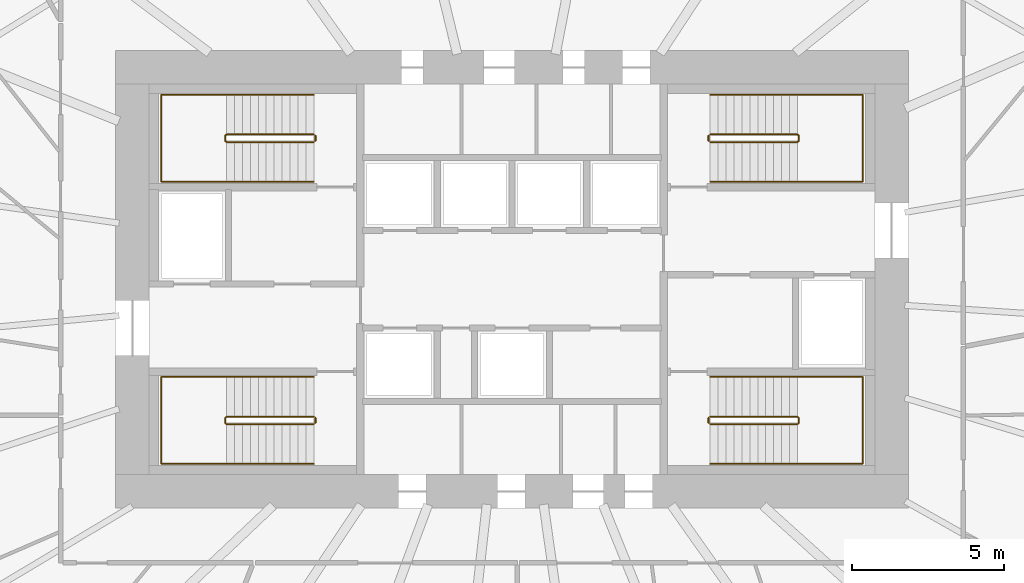
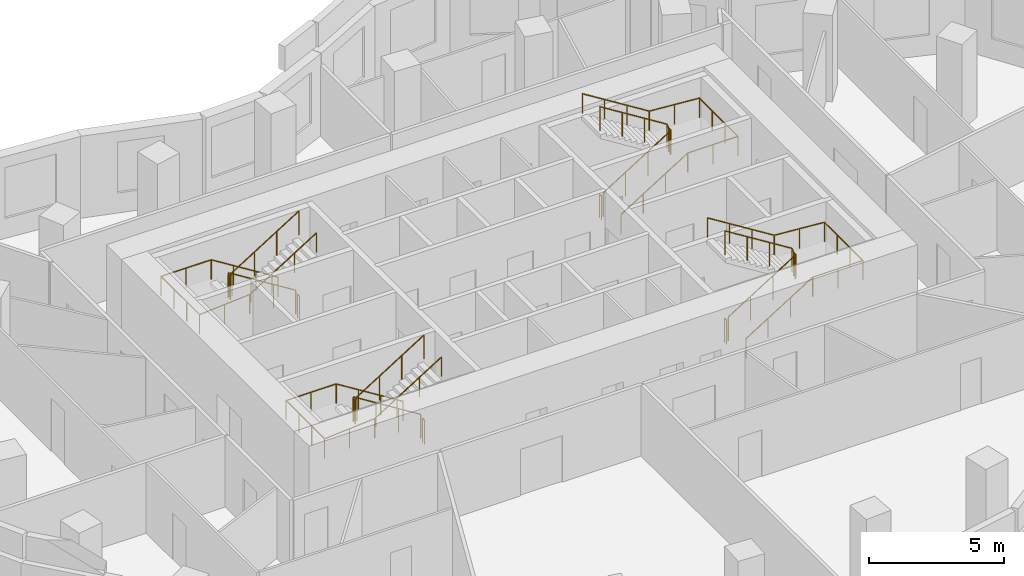
# One storey, part 10 of 10: 12 railings.
"""IFC4 building model written with IfcOpenShell, lengths in metres."""

import ifcopenshell
import ifcopenshell.guid

model = None  # the IFC model being written
_history = None  # IfcOwnerHistory: only IFC2X3 demands one
_inside = {}  # id of a spatial element -> (the spatial element, [elements in it])
_under = {}  # id of a project, library or spatial element -> (it, [spatial elements below it])
_declared = {}  # id of a project -> (the project, [libraries it declares])
_typed = {}  # id of a type object -> (the type object, [elements of that type])
_made_of = {}  # id of a material, layer set ... -> (it, [elements and type objects made of it])


def new_model(schema):
    """Start an empty IFC model of exactly this schema.

    Asked for "IFC4X3", IfcOpenShell would pick the latest addendum, in which some entities
    have other attributes; the version numbers below select the first issue.
    IFC2X3 requires an IfcOwnerHistory on every rooted entity: one is made here for all.
    """
    global model, _history
    if schema == "IFC4X3":
        model = ifcopenshell.file(schema_version=(4, 3, 0, 0))
    else:
        model = ifcopenshell.file(schema=schema)
    _inside.clear()
    _under.clear()
    _declared.clear()
    _typed.clear()
    _made_of.clear()
    _history = None
    if model.schema == "IFC2X3":
        org = make("IfcOrganization", Name="unknown")
        user = make(
            "IfcPersonAndOrganization",
            ThePerson=make("IfcPerson", FamilyName="unknown"),
            TheOrganization=org,
        )
        app = make(
            "IfcApplication",
            ApplicationDeveloper=org,
            Version="unknown",
            ApplicationFullName="unknown",
            ApplicationIdentifier="unknown",
        )
        _history = make(
            "IfcOwnerHistory",
            OwningUser=user,
            OwningApplication=app,
            ChangeAction="ADDED",
            CreationDate=0,
        )
    return model


def make(cls, **values):
    """One entity of the class cls with the attributes given. An attribute that is None is left unset."""
    return model.create_entity(
        cls, **{name: value for name, value in values.items() if value is not None}
    )


def rooted(cls, **values):
    """An entity with a GlobalId (a new one), such as an element, a storey or a relation."""
    return make(cls, GlobalId=ifcopenshell.guid.new(), OwnerHistory=_history, **values)


def si_unit(unit_type, name, prefix=None):
    """IfcSIUnit, for example si_unit("LENGTHUNIT", "METRE", prefix="MILLI")."""
    return make("IfcSIUnit", UnitType=unit_type, Prefix=prefix, Name=name)


def assignment(units):
    """IfcUnitAssignment: the units of a project."""
    return None if units is None else make("IfcUnitAssignment", Units=units)


def point(xyz):
    """IfcCartesianPoint."""
    return None if xyz is None else make("IfcCartesianPoint", Coordinates=xyz)


def direction(xyz):
    """IfcDirection."""
    return None if xyz is None else make("IfcDirection", DirectionRatios=xyz)


def frame(location, z_axis=None, x_axis=None):
    """IfcAxis2Placement3D, a coordinate frame: its origin and axes. An axis left out is left unset."""
    return make(
        "IfcAxis2Placement3D",
        Location=point(location),
        Axis=direction(z_axis),
        RefDirection=direction(x_axis),
    )


def frame_2d(location, x_axis=None):
    """IfcAxis2Placement2D, a coordinate frame in the plane: its origin and x axis."""
    return make(
        "IfcAxis2Placement2D", Location=point(location), RefDirection=direction(x_axis)
    )


def origin():
    """The frame at (0, 0, 0) with its axes left unset."""
    return frame((0.0, 0.0, 0.0))


def origin_2d():
    """The frame at (0, 0) in the plane with its x axis left unset."""
    return frame_2d((0.0, 0.0))


def place(relative_to, where):
    """IfcLocalPlacement: puts the frame where relative to a parent placement (None: the world)."""
    return make(
        "IfcLocalPlacement", PlacementRelTo=relative_to, RelativePlacement=where
    )


def context(
    kind, dimensions, precision=None, world=None, true_north=None, identifier=None
):
    """IfcGeometricRepresentationContext, for example the 3D "Model" context."""
    return make(
        "IfcGeometricRepresentationContext",
        ContextIdentifier=identifier,
        ContextType=kind,
        CoordinateSpaceDimension=dimensions,
        Precision=precision,
        WorldCoordinateSystem=world,
        TrueNorth=true_north,
    )


def subcontext(parent, identifier, kind, view, scale=None):
    """IfcGeometricRepresentationSubContext, for example "Body" below "Model"."""
    return make(
        "IfcGeometricRepresentationSubContext",
        ContextIdentifier=identifier,
        ContextType=kind,
        ParentContext=parent,
        TargetScale=scale,
        TargetView=view,
    )


def project(units=None, contexts=None):
    """IfcProject with its units and contexts."""
    return rooted(
        "IfcProject",
        Name="project",
        RepresentationContexts=contexts,
        UnitsInContext=assignment(units),
    )


def spatial(cls, under=None, at=None, **own):
    """A site, building, storey or space (cls), placed at a placement, below another one or the project."""
    s = rooted(cls, ObjectPlacement=at, **own)
    if under is not None:
        _under.setdefault(under.id(), (under, []))[1].append(s)
    return s


def profile(cls, at=None, kind="AREA", **sizes):
    """A parametric profile (cls). Its sizes go by their IFC names, for example OverallWidth=200.0."""
    return make(cls, ProfileType=kind, Position=at, **sizes)


def circle(**sizes):
    """IfcCircleProfileDef."""
    return profile("IfcCircleProfileDef", **sizes)


def extrude(swept, where, along, depth):
    """IfcExtrudedAreaSolid: the profile swept, set in the frame where, extruded along a direction by depth."""
    return make(
        "IfcExtrudedAreaSolid",
        SweptArea=swept,
        Position=where,
        ExtrudedDirection=direction(along),
        Depth=depth,
    )


def shape(context_of_items, identifier, shape_type, items):
    """IfcShapeRepresentation: the items that make up one representation, for example the "Body"."""
    return make(
        "IfcShapeRepresentation",
        ContextOfItems=context_of_items,
        RepresentationIdentifier=identifier,
        RepresentationType=shape_type,
        Items=items,
    )


def material(Name=None, Category=None):
    """IfcMaterial."""
    return make("IfcMaterial", Name=Name, Category=Category)


def made_of(thing, what):
    """Note that an element or type object is made of a material, layer set ...; save() writes the relation."""
    if what is not None:
        _made_of.setdefault(what.id(), (what, []))[1].append(thing)
    return thing


def type_object(cls, material=None, **own):
    """A type object (cls), such as IfcWallType, which elements share."""
    return made_of(rooted(cls, **own), material)


def element(
    cls,
    number,
    at=None,
    inside=None,
    cuts=None,
    type_object=None,
    material=None,
    context=None,
    identifier="Body",
    shape_type=None,
    held_by="IfcProductDefinitionShape",
    body=None,
    shapes=None,
    **own,
):
    """One element of the class cls, such as IfcWall. Its Tag is "e" and its number.

    at: its placement. inside: the storey or other place that contains it. cuts: it is an
    opening in that element (IfcRelVoidsElement). A single representation is given by context,
    identifier, shape_type and body (its items); several are given by shapes. held_by: the class
    of the entity that holds the representations. save() writes the other relations.
    """
    e = rooted(cls, Tag="e%d" % number, ObjectPlacement=at, **own)
    if body is not None:
        shapes = [shape(context, identifier, shape_type, body)]
    if shapes is not None:
        e.Representation = make(held_by, Representations=shapes)
    if inside is not None:
        _inside.setdefault(inside.id(), (inside, []))[1].append(e)
    if cuts is not None:
        rooted(
            "IfcRelVoidsElement", RelatingBuildingElement=cuts, RelatedOpeningElement=e
        )
    if type_object is not None:
        _typed.setdefault(type_object.id(), (type_object, []))[1].append(e)
    return made_of(e, material)


def aggregate(whole, parts):
    """IfcRelAggregates: a whole, such as a stair, and the parts it consists of."""
    return rooted("IfcRelAggregates", RelatingObject=whole, RelatedObjects=parts)


def save(model, path):
    """Write the relations noted so far, then the file.

    IfcRelAggregates (storeys below a building ...), IfcRelContainedInSpatialStructure (elements
    in a storey), IfcRelDefinesByType, IfcRelAssociatesMaterial and IfcRelDeclares: one each for
    every whole, place, type object, material and project.
    """
    for whole, parts in _under.values():
        aggregate(whole, parts)
    for where, things in _inside.values():
        rooted(
            "IfcRelContainedInSpatialStructure",
            RelatedElements=things,
            RelatingStructure=where,
        )
    for kind, things in _typed.values():
        rooted("IfcRelDefinesByType", RelatedObjects=things, RelatingType=kind)
    for what, things in _made_of.values():
        rooted("IfcRelAssociatesMaterial", RelatedObjects=things, RelatingMaterial=what)
    for by, libraries in _declared.values():
        rooted("IfcRelDeclares", RelatingContext=by, RelatedDefinitions=libraries)
    model.write(path)


model = new_model("IFC4")

# Units and contexts
model_context = context("Model", 3, precision=1e-05, world=origin(), true_north=direction((0.0, 1.0)))
body_context = subcontext(model_context, "Body", "Model", "MODEL_VIEW")
ifc_project = project(units=[si_unit("LENGTHUNIT", "METRE"), si_unit("AREAUNIT", "SQUARE_METRE"), si_unit("VOLUMEUNIT", "CUBIC_METRE"), si_unit("PLANEANGLEUNIT", "RADIAN"), si_unit("MASSUNIT", "GRAM", prefix="KILO")], contexts=[model_context])

# Site, building, storey
site_placement = place(None, origin())
site = spatial("IfcSite", under=ifc_project, at=site_placement, CompositionType="ELEMENT")
building_placement = place(site_placement, origin())
building = spatial("IfcBuilding", under=site, at=building_placement, Name="Rubra Terraces Tower", CompositionType="ELEMENT")
storey_placement = place(building_placement, frame((0.0, 0.0, 153.89990234375)))
storey = spatial("IfcBuildingStorey", under=building, at=storey_placement, Name="L37", CompositionType="ELEMENT", Elevation=153.89990234375)

# Railings
ifc_material = material(Name="Stainless steel", Category="steel")
railing_type_1 = type_object("IfcRailingType", Name="Core stair guard 1100", PredefinedType="GUARDRAIL", material=ifc_material)
railing_1_placement = place(storey_placement, frame((-6.5, 0.0, 0.16259765625)))
element("IfcRailing", 1, at=railing_1_placement, inside=storey, type_object=railing_type_1, Name="L37 stair S1 guard 1", PredefinedType="GUARDRAIL", context=body_context, shape_type="SweptSolid", body=[
    extrude(circle(Radius=0.02392578125, at=origin_2d()), frame((0.0, 0.0, 1.076171875), z_axis=(-0.847994237388, 0.0, 0.530005446535), x_axis=(0.0, -1.0, 0.0)), (0.0, 0.0, 1.0), 3.372802734375),
    extrude(circle(Radius=0.02392578125, at=origin_2d()), frame((-2.860107421875, 0.0, 2.86376953125), z_axis=(-0.705375805398, -0.708833529934, 0.0), x_axis=(0.708833529934, -0.705375805398, 0.0)), (0.0, 0.0, 1.0), 0.070556640625),
    extrude(circle(Radius=0.02392578125, at=origin_2d()), frame((-2.909912109375, -0.050048828125, 2.86376953125), z_axis=(0.0, -1.0, 0.0), x_axis=(1.0, 0.0, 0.0)), (0.0, 0.0, 1.0), 0.14990234375),
    extrude(circle(Radius=0.02392578125, at=origin_2d()), frame((-2.909912109375, -0.199951171875, 2.86376953125), z_axis=(0.281314826061, -0.282693820306, 0.917031173188), x_axis=(0.708833529934, 0.705375805398, 0.0)), (0.0, 0.0, 1.0), 0.177001953125),
    extrude(circle(Radius=0.02392578125, at=origin_2d()), frame((-2.860107421875, -0.25, 3.02587890625), z_axis=(0.847994237388, 0.0, 0.530005446535), x_axis=(0.0, 1.0, 0.0)), (0.0, 0.0, 1.0), 3.372802734375),
    extrude(circle(Radius=0.02099609375, at=origin_2d()), origin(), (0.0, 0.0, 1.0), 1.052001953125),
    extrude(circle(Radius=0.02099609375, at=origin_2d()), frame((-0.953369140625, 0.0, 0.595947265625)), (0.0, 0.0, 1.0), 1.052001953125),
    extrude(circle(Radius=0.02099609375, at=origin_2d()), frame((-1.90673828125, 0.0, 1.191650390625)), (0.0, 0.0, 1.0), 1.052001953125),
    extrude(circle(Radius=0.02099609375, at=origin_2d()), frame((-2.860107421875, 0.0, 1.78759765625)), (0.0, 0.0, 1.0), 1.052001953125),
    extrude(circle(Radius=0.02099609375, at=origin_2d()), frame((-2.909912109375, -0.050048828125, 1.78759765625)), (0.0, 0.0, 1.0), 1.052001953125),
    extrude(circle(Radius=0.02099609375, at=origin_2d()), frame((-2.909912109375, -0.199951171875, 1.78759765625)), (0.0, 0.0, 1.0), 1.052001953125),
    extrude(circle(Radius=0.02099609375, at=origin_2d()), frame((-2.860107421875, -0.25, 1.949951171875)), (0.0, 0.0, 1.0), 1.052001953125),
    extrude(circle(Radius=0.02099609375, at=origin_2d()), frame((-1.90673828125, -0.25, 2.5458984375)), (0.0, 0.0, 1.0), 1.052001953125),
    extrude(circle(Radius=0.02099609375, at=origin_2d()), frame((-0.953369140625, -0.25, 3.1416015625)), (0.0, 0.0, 1.0), 1.052001953125),
    extrude(circle(Radius=0.02099609375, at=origin_2d()), frame((0.0, -0.25, 3.737548828125)), (0.0, 0.0, 1.0), 1.052001953125),
])
railing_2_placement = place(storey_placement, frame((-6.449951171875, -0.050048828125, 0.0)))
element("IfcRailing", 2, at=railing_2_placement, inside=storey, type_object=railing_type_1, Name="L37 stair S1 guard 2", PredefinedType="GUARDRAIL", context=body_context, shape_type="SweptSolid", body=[
    extrude(circle(Radius=0.02392578125, at=origin_2d()), frame((0.0, 0.0, 1.076171875), z_axis=(0.0, -1.0, 0.0), x_axis=(1.0, 0.0, 0.0)), (0.0, 0.0, 1.0), 0.14990234375),
    extrude(circle(Radius=0.02099609375, at=origin_2d()), origin(), (0.0, 0.0, 1.0), 1.052001953125),
    extrude(circle(Radius=0.02099609375, at=origin_2d()), frame((0.0, -0.14990234375, 0.0)), (0.0, 0.0, 1.0), 1.052001953125),
])
railing_3_placement = place(storey_placement, frame((-6.5, 9.25, 0.16259765625)))
element("IfcRailing", 3, at=railing_3_placement, inside=storey, type_object=railing_type_1, Name="L37 stair S2 guard 1", PredefinedType="GUARDRAIL", context=body_context, shape_type="SweptSolid", body=[
    extrude(circle(Radius=0.02392578125, at=origin_2d()), frame((0.0, 0.0, 1.076171875), z_axis=(-0.847994237388, 0.0, 0.530005446535), x_axis=(0.0, -1.0, 0.0)), (0.0, 0.0, 1.0), 3.372802734375),
    extrude(circle(Radius=0.02392578125, at=origin_2d()), frame((-2.860107421875, 0.0, 2.86376953125), z_axis=(-0.705375805398, -0.708833529934, 0.0), x_axis=(0.708833529934, -0.705375805398, 0.0)), (0.0, 0.0, 1.0), 0.070556640625),
    extrude(circle(Radius=0.02392578125, at=origin_2d()), frame((-2.909912109375, -0.050048828125, 2.86376953125), z_axis=(0.0, -1.0, 0.0), x_axis=(1.0, 0.0, 0.0)), (0.0, 0.0, 1.0), 0.14990234375),
    extrude(circle(Radius=0.02392578125, at=origin_2d()), frame((-2.909912109375, -0.199951171875, 2.86376953125), z_axis=(0.281314826061, -0.282693820306, 0.917031173188), x_axis=(0.708833529934, 0.705375805398, 0.0)), (0.0, 0.0, 1.0), 0.177001953125),
    extrude(circle(Radius=0.02392578125, at=origin_2d()), frame((-2.860107421875, -0.25, 3.02587890625), z_axis=(0.847994237388, 0.0, 0.530005446535), x_axis=(0.0, 1.0, 0.0)), (0.0, 0.0, 1.0), 3.372802734375),
    extrude(circle(Radius=0.02099609375, at=origin_2d()), origin(), (0.0, 0.0, 1.0), 1.052001953125),
    extrude(circle(Radius=0.02099609375, at=origin_2d()), frame((-0.953369140625, 0.0, 0.595947265625)), (0.0, 0.0, 1.0), 1.052001953125),
    extrude(circle(Radius=0.02099609375, at=origin_2d()), frame((-1.90673828125, 0.0, 1.191650390625)), (0.0, 0.0, 1.0), 1.052001953125),
    extrude(circle(Radius=0.02099609375, at=origin_2d()), frame((-2.860107421875, 0.0, 1.78759765625)), (0.0, 0.0, 1.0), 1.052001953125),
    extrude(circle(Radius=0.02099609375, at=origin_2d()), frame((-2.909912109375, -0.050048828125, 1.78759765625)), (0.0, 0.0, 1.0), 1.052001953125),
    extrude(circle(Radius=0.02099609375, at=origin_2d()), frame((-2.909912109375, -0.199951171875, 1.78759765625)), (0.0, 0.0, 1.0), 1.052001953125),
    extrude(circle(Radius=0.02099609375, at=origin_2d()), frame((-2.860107421875, -0.25, 1.949951171875)), (0.0, 0.0, 1.0), 1.052001953125),
    extrude(circle(Radius=0.02099609375, at=origin_2d()), frame((-1.90673828125, -0.25, 2.5458984375)), (0.0, 0.0, 1.0), 1.052001953125),
    extrude(circle(Radius=0.02099609375, at=origin_2d()), frame((-0.953369140625, -0.25, 3.1416015625)), (0.0, 0.0, 1.0), 1.052001953125),
    extrude(circle(Radius=0.02099609375, at=origin_2d()), frame((0.0, -0.25, 3.737548828125)), (0.0, 0.0, 1.0), 1.052001953125),
])
railing_4_placement = place(storey_placement, frame((-6.449951171875, 9.199951171875, 0.0)))
element("IfcRailing", 4, at=railing_4_placement, inside=storey, type_object=railing_type_1, Name="L37 stair S2 guard 2", PredefinedType="GUARDRAIL", context=body_context, shape_type="SweptSolid", body=[
    extrude(circle(Radius=0.02392578125, at=origin_2d()), frame((0.0, 0.0, 1.076171875), z_axis=(0.0, -1.0, 0.0), x_axis=(1.0, 0.0, 0.0)), (0.0, 0.0, 1.0), 0.14990234375),
    extrude(circle(Radius=0.02099609375, at=origin_2d()), origin(), (0.0, 0.0, 1.0), 1.052001953125),
    extrude(circle(Radius=0.02099609375, at=origin_2d()), frame((0.0, -0.14990234375, 0.0)), (0.0, 0.0, 1.0), 1.052001953125),
])
railing_5_placement = place(storey_placement, frame((6.5, 9.0, 0.16259765625)))
element("IfcRailing", 5, at=railing_5_placement, inside=storey, type_object=railing_type_1, Name="L37 stair S3 guard 1", PredefinedType="GUARDRAIL", context=body_context, shape_type="SweptSolid", body=[
    extrude(circle(Radius=0.02392578125, at=origin_2d()), frame((0.0, 0.0, 1.076171875), z_axis=(0.847994237388, 0.0, 0.530005446535), x_axis=(0.0, 1.0, 0.0)), (0.0, 0.0, 1.0), 3.372802734375),
    extrude(circle(Radius=0.02392578125, at=origin_2d()), frame((2.860107421875, 0.0, 2.86376953125), z_axis=(0.705375805398, 0.708833529934, 0.0), x_axis=(-0.708833529934, 0.705375805398, 0.0)), (0.0, 0.0, 1.0), 0.070556640625),
    extrude(circle(Radius=0.02392578125, at=origin_2d()), frame((2.909912109375, 0.050048828125, 2.86376953125), z_axis=(0.0, 1.0, 0.0), x_axis=(-1.0, 0.0, 0.0)), (0.0, 0.0, 1.0), 0.14990234375),
    extrude(circle(Radius=0.02392578125, at=origin_2d()), frame((2.909912109375, 0.199951171875, 2.86376953125), z_axis=(-0.281314826061, 0.282693820306, 0.917031173188), x_axis=(-0.708833529934, -0.705375805398, 0.0)), (0.0, 0.0, 1.0), 0.177001953125),
    extrude(circle(Radius=0.02392578125, at=origin_2d()), frame((2.860107421875, 0.25, 3.02587890625), z_axis=(-0.847994237388, 0.0, 0.530005446535), x_axis=(0.0, -1.0, 0.0)), (0.0, 0.0, 1.0), 3.372802734375),
    extrude(circle(Radius=0.02099609375, at=origin_2d()), origin(), (0.0, 0.0, 1.0), 1.052001953125),
    extrude(circle(Radius=0.02099609375, at=origin_2d()), frame((0.953369140625, 0.0, 0.595947265625)), (0.0, 0.0, 1.0), 1.052001953125),
    extrude(circle(Radius=0.02099609375, at=origin_2d()), frame((1.90673828125, 0.0, 1.191650390625)), (0.0, 0.0, 1.0), 1.052001953125),
    extrude(circle(Radius=0.02099609375, at=origin_2d()), frame((2.860107421875, 0.0, 1.78759765625)), (0.0, 0.0, 1.0), 1.052001953125),
    extrude(circle(Radius=0.02099609375, at=origin_2d()), frame((2.909912109375, 0.050048828125, 1.78759765625)), (0.0, 0.0, 1.0), 1.052001953125),
    extrude(circle(Radius=0.02099609375, at=origin_2d()), frame((2.909912109375, 0.199951171875, 1.78759765625)), (0.0, 0.0, 1.0), 1.052001953125),
    extrude(circle(Radius=0.02099609375, at=origin_2d()), frame((2.860107421875, 0.25, 1.949951171875)), (0.0, 0.0, 1.0), 1.052001953125),
    extrude(circle(Radius=0.02099609375, at=origin_2d()), frame((1.90673828125, 0.25, 2.5458984375)), (0.0, 0.0, 1.0), 1.052001953125),
    extrude(circle(Radius=0.02099609375, at=origin_2d()), frame((0.953369140625, 0.25, 3.1416015625)), (0.0, 0.0, 1.0), 1.052001953125),
    extrude(circle(Radius=0.02099609375, at=origin_2d()), frame((0.0, 0.25, 3.737548828125)), (0.0, 0.0, 1.0), 1.052001953125),
])
railing_6_placement = place(storey_placement, frame((6.449951171875, 9.050048828125, 0.0)))
element("IfcRailing", 6, at=railing_6_placement, inside=storey, type_object=railing_type_1, Name="L37 stair S3 guard 2", PredefinedType="GUARDRAIL", context=body_context, shape_type="SweptSolid", body=[
    extrude(circle(Radius=0.02392578125, at=origin_2d()), frame((0.0, 0.0, 1.076171875), z_axis=(0.0, 1.0, 0.0), x_axis=(-1.0, 0.0, 0.0)), (0.0, 0.0, 1.0), 0.14990234375),
    extrude(circle(Radius=0.02099609375, at=origin_2d()), origin(), (0.0, 0.0, 1.0), 1.052001953125),
    extrude(circle(Radius=0.02099609375, at=origin_2d()), frame((0.0, 0.14990234375, 0.0)), (0.0, 0.0, 1.0), 1.052001953125),
])
railing_7_placement = place(storey_placement, frame((6.5, -0.25, 0.16259765625)))
element("IfcRailing", 7, at=railing_7_placement, inside=storey, type_object=railing_type_1, Name="L37 stair S4 guard 1", PredefinedType="GUARDRAIL", context=body_context, shape_type="SweptSolid", body=[
    extrude(circle(Radius=0.02392578125, at=origin_2d()), frame((0.0, 0.0, 1.076171875), z_axis=(0.847994237388, 0.0, 0.530005446535), x_axis=(0.0, 1.0, 0.0)), (0.0, 0.0, 1.0), 3.372802734375),
    extrude(circle(Radius=0.02392578125, at=origin_2d()), frame((2.860107421875, 0.0, 2.86376953125), z_axis=(0.705375805398, 0.708833529934, 0.0), x_axis=(-0.708833529934, 0.705375805398, 0.0)), (0.0, 0.0, 1.0), 0.070556640625),
    extrude(circle(Radius=0.02392578125, at=origin_2d()), frame((2.909912109375, 0.050048828125, 2.86376953125), z_axis=(0.0, 1.0, 0.0), x_axis=(-1.0, 0.0, 0.0)), (0.0, 0.0, 1.0), 0.14990234375),
    extrude(circle(Radius=0.02392578125, at=origin_2d()), frame((2.909912109375, 0.199951171875, 2.86376953125), z_axis=(-0.281314826061, 0.282693820306, 0.917031173188), x_axis=(-0.708833529934, -0.705375805398, 0.0)), (0.0, 0.0, 1.0), 0.177001953125),
    extrude(circle(Radius=0.02392578125, at=origin_2d()), frame((2.860107421875, 0.25, 3.02587890625), z_axis=(-0.847994237388, 0.0, 0.530005446535), x_axis=(0.0, -1.0, 0.0)), (0.0, 0.0, 1.0), 3.372802734375),
    extrude(circle(Radius=0.02099609375, at=origin_2d()), origin(), (0.0, 0.0, 1.0), 1.052001953125),
    extrude(circle(Radius=0.02099609375, at=origin_2d()), frame((0.953369140625, 0.0, 0.595947265625)), (0.0, 0.0, 1.0), 1.052001953125),
    extrude(circle(Radius=0.02099609375, at=origin_2d()), frame((1.90673828125, 0.0, 1.191650390625)), (0.0, 0.0, 1.0), 1.052001953125),
    extrude(circle(Radius=0.02099609375, at=origin_2d()), frame((2.860107421875, 0.0, 1.78759765625)), (0.0, 0.0, 1.0), 1.052001953125),
    extrude(circle(Radius=0.02099609375, at=origin_2d()), frame((2.909912109375, 0.050048828125, 1.78759765625)), (0.0, 0.0, 1.0), 1.052001953125),
    extrude(circle(Radius=0.02099609375, at=origin_2d()), frame((2.909912109375, 0.199951171875, 1.78759765625)), (0.0, 0.0, 1.0), 1.052001953125),
    extrude(circle(Radius=0.02099609375, at=origin_2d()), frame((2.860107421875, 0.25, 1.949951171875)), (0.0, 0.0, 1.0), 1.052001953125),
    extrude(circle(Radius=0.02099609375, at=origin_2d()), frame((1.90673828125, 0.25, 2.5458984375)), (0.0, 0.0, 1.0), 1.052001953125),
    extrude(circle(Radius=0.02099609375, at=origin_2d()), frame((0.953369140625, 0.25, 3.1416015625)), (0.0, 0.0, 1.0), 1.052001953125),
    extrude(circle(Radius=0.02099609375, at=origin_2d()), frame((0.0, 0.25, 3.737548828125)), (0.0, 0.0, 1.0), 1.052001953125),
])
railing_8_placement = place(storey_placement, frame((6.449951171875, -0.199951171875, 0.0)))
element("IfcRailing", 8, at=railing_8_placement, inside=storey, type_object=railing_type_1, Name="L37 stair S4 guard 2", PredefinedType="GUARDRAIL", context=body_context, shape_type="SweptSolid", body=[
    extrude(circle(Radius=0.02392578125, at=origin_2d()), frame((0.0, 0.0, 1.076171875), z_axis=(0.0, 1.0, 0.0), x_axis=(-1.0, 0.0, 0.0)), (0.0, 0.0, 1.0), 0.14990234375),
    extrude(circle(Radius=0.02099609375, at=origin_2d()), origin(), (0.0, 0.0, 1.0), 1.052001953125),
    extrude(circle(Radius=0.02099609375, at=origin_2d()), frame((0.0, 0.14990234375, 0.0)), (0.0, 0.0, 1.0), 1.052001953125),
])
railing_type_2 = type_object("IfcRailingType", Name="Core stair handrail 900", PredefinedType="HANDRAIL", material=ifc_material)
railing_9_placement = place(storey_placement, frame((-6.5, 1.300048828125, 0.16259765625)))
element("IfcRailing", 9, at=railing_9_placement, inside=storey, type_object=railing_type_2, Name="L37 stair S1 handrail 1", PredefinedType="HANDRAIL", context=body_context, shape_type="SweptSolid", body=[
    extrude(circle(Radius=0.02392578125, at=origin_2d()), frame((0.0, 0.0, 0.8759765625), z_axis=(-0.847994237388, 0.0, 0.530005446535), x_axis=(0.0, -1.0, 0.0)), (0.0, 0.0, 1.0), 3.372802734375),
    extrude(circle(Radius=0.02392578125, at=origin_2d()), frame((-2.860107421875, 0.0, 2.66357421875), z_axis=(-1.0, 0.0, 0.0), x_axis=(0.0, -1.0, 0.0)), (0.0, 0.0, 1.0), 2.139892578125),
    extrude(circle(Radius=0.02392578125, at=origin_2d()), frame((-5.0, 0.0, 2.66357421875), z_axis=(0.0, -1.0, 0.0), x_axis=(1.0, 0.0, 0.0)), (0.0, 0.0, 1.0), 2.85009765625),
    extrude(circle(Radius=0.02392578125, at=origin_2d()), frame((-5.0, -2.85009765625, 2.66357421875), z_axis=(0.9971342424, 0.0, 0.075652512401), x_axis=(0.0, 1.0, 0.0)), (0.0, 0.0, 1.0), 2.14599609375),
    extrude(circle(Radius=0.02392578125, at=origin_2d()), frame((-2.860107421875, -2.85009765625, 2.82568359375), z_axis=(0.847994237388, 0.0, 0.530005446535), x_axis=(0.0, 1.0, 0.0)), (0.0, 0.0, 1.0), 3.372802734375),
    extrude(circle(Radius=0.02099609375, at=origin_2d()), origin(), (0.0, 0.0, 1.0), 0.851806640625),
    extrude(circle(Radius=0.02099609375, at=origin_2d()), frame((-0.953369140625, 0.0, 0.595947265625)), (0.0, 0.0, 1.0), 0.851806640625),
    extrude(circle(Radius=0.02099609375, at=origin_2d()), frame((-1.90673828125, 0.0, 1.191650390625)), (0.0, 0.0, 1.0), 0.851806640625),
    extrude(circle(Radius=0.02099609375, at=origin_2d()), frame((-2.860107421875, 0.0, 1.78759765625)), (0.0, 0.0, 1.0), 0.851806640625),
    extrude(circle(Radius=0.02099609375, at=origin_2d()), frame((-3.93017578125, 0.0, 1.78759765625)), (0.0, 0.0, 1.0), 0.851806640625),
    extrude(circle(Radius=0.02099609375, at=origin_2d()), frame((-5.0, 0.0, 1.78759765625)), (0.0, 0.0, 1.0), 0.851806640625),
    extrude(circle(Radius=0.02099609375, at=origin_2d()), frame((-5.0, -0.949951171875, 1.78759765625)), (0.0, 0.0, 1.0), 0.851806640625),
    extrude(circle(Radius=0.02099609375, at=origin_2d()), frame((-5.0, -1.900146484375, 1.78759765625)), (0.0, 0.0, 1.0), 0.851806640625),
    extrude(circle(Radius=0.02099609375, at=origin_2d()), frame((-5.0, -2.85009765625, 1.78759765625)), (0.0, 0.0, 1.0), 0.851806640625),
    extrude(circle(Radius=0.02099609375, at=origin_2d()), frame((-3.93017578125, -2.85009765625, 1.86865234375)), (0.0, 0.0, 1.0), 0.851806640625),
    extrude(circle(Radius=0.02099609375, at=origin_2d()), frame((-2.860107421875, -2.85009765625, 1.949951171875)), (0.0, 0.0, 1.0), 0.851806640625),
    extrude(circle(Radius=0.02099609375, at=origin_2d()), frame((-1.90673828125, -2.85009765625, 2.5458984375)), (0.0, 0.0, 1.0), 0.851806640625),
    extrude(circle(Radius=0.02099609375, at=origin_2d()), frame((-0.953369140625, -2.85009765625, 3.1416015625)), (0.0, 0.0, 1.0), 0.851806640625),
    extrude(circle(Radius=0.02099609375, at=origin_2d()), frame((0.0, -2.85009765625, 3.737548828125)), (0.0, 0.0, 1.0), 0.851806640625),
])
railing_10_placement = place(storey_placement, frame((-6.5, 10.550048828125, 0.16259765625)))
element("IfcRailing", 10, at=railing_10_placement, inside=storey, type_object=railing_type_2, Name="L37 stair S2 handrail 1", PredefinedType="HANDRAIL", context=body_context, shape_type="SweptSolid", body=[
    extrude(circle(Radius=0.02392578125, at=origin_2d()), frame((0.0, 0.0, 0.8759765625), z_axis=(-0.847994237388, 0.0, 0.530005446535), x_axis=(0.0, -1.0, 0.0)), (0.0, 0.0, 1.0), 3.372802734375),
    extrude(circle(Radius=0.02392578125, at=origin_2d()), frame((-2.860107421875, 0.0, 2.66357421875), z_axis=(-1.0, 0.0, 0.0), x_axis=(0.0, -1.0, 0.0)), (0.0, 0.0, 1.0), 2.139892578125),
    extrude(circle(Radius=0.02392578125, at=origin_2d()), frame((-5.0, 0.0, 2.66357421875), z_axis=(0.0, -1.0, 0.0), x_axis=(1.0, 0.0, 0.0)), (0.0, 0.0, 1.0), 2.85009765625),
    extrude(circle(Radius=0.02392578125, at=origin_2d()), frame((-5.0, -2.85009765625, 2.66357421875), z_axis=(0.9971342424, 0.0, 0.075652512401), x_axis=(0.0, 1.0, 0.0)), (0.0, 0.0, 1.0), 2.14599609375),
    extrude(circle(Radius=0.02392578125, at=origin_2d()), frame((-2.860107421875, -2.85009765625, 2.82568359375), z_axis=(0.847994237388, 0.0, 0.530005446535), x_axis=(0.0, 1.0, 0.0)), (0.0, 0.0, 1.0), 3.372802734375),
    extrude(circle(Radius=0.02099609375, at=origin_2d()), origin(), (0.0, 0.0, 1.0), 0.851806640625),
    extrude(circle(Radius=0.02099609375, at=origin_2d()), frame((-0.953369140625, 0.0, 0.595947265625)), (0.0, 0.0, 1.0), 0.851806640625),
    extrude(circle(Radius=0.02099609375, at=origin_2d()), frame((-1.90673828125, 0.0, 1.191650390625)), (0.0, 0.0, 1.0), 0.851806640625),
    extrude(circle(Radius=0.02099609375, at=origin_2d()), frame((-2.860107421875, 0.0, 1.78759765625)), (0.0, 0.0, 1.0), 0.851806640625),
    extrude(circle(Radius=0.02099609375, at=origin_2d()), frame((-3.93017578125, 0.0, 1.78759765625)), (0.0, 0.0, 1.0), 0.851806640625),
    extrude(circle(Radius=0.02099609375, at=origin_2d()), frame((-5.0, 0.0, 1.78759765625)), (0.0, 0.0, 1.0), 0.851806640625),
    extrude(circle(Radius=0.02099609375, at=origin_2d()), frame((-5.0, -0.949951171875, 1.78759765625)), (0.0, 0.0, 1.0), 0.851806640625),
    extrude(circle(Radius=0.02099609375, at=origin_2d()), frame((-5.0, -1.900146484375, 1.78759765625)), (0.0, 0.0, 1.0), 0.851806640625),
    extrude(circle(Radius=0.02099609375, at=origin_2d()), frame((-5.0, -2.85009765625, 1.78759765625)), (0.0, 0.0, 1.0), 0.851806640625),
    extrude(circle(Radius=0.02099609375, at=origin_2d()), frame((-3.93017578125, -2.85009765625, 1.86865234375)), (0.0, 0.0, 1.0), 0.851806640625),
    extrude(circle(Radius=0.02099609375, at=origin_2d()), frame((-2.860107421875, -2.85009765625, 1.949951171875)), (0.0, 0.0, 1.0), 0.851806640625),
    extrude(circle(Radius=0.02099609375, at=origin_2d()), frame((-1.90673828125, -2.85009765625, 2.5458984375)), (0.0, 0.0, 1.0), 0.851806640625),
    extrude(circle(Radius=0.02099609375, at=origin_2d()), frame((-0.953369140625, -2.85009765625, 3.1416015625)), (0.0, 0.0, 1.0), 0.851806640625),
    extrude(circle(Radius=0.02099609375, at=origin_2d()), frame((0.0, -2.85009765625, 3.737548828125)), (0.0, 0.0, 1.0), 0.851806640625),
])
railing_11_placement = place(storey_placement, frame((6.5, 7.699951171875, 0.16259765625)))
element("IfcRailing", 11, at=railing_11_placement, inside=storey, type_object=railing_type_2, Name="L37 stair S3 handrail 1", PredefinedType="HANDRAIL", context=body_context, shape_type="SweptSolid", body=[
    extrude(circle(Radius=0.02392578125, at=origin_2d()), frame((0.0, 0.0, 0.8759765625), z_axis=(0.847994237388, 0.0, 0.530005446535), x_axis=(0.0, 1.0, 0.0)), (0.0, 0.0, 1.0), 3.372802734375),
    extrude(circle(Radius=0.02392578125, at=origin_2d()), frame((2.860107421875, 0.0, 2.66357421875), z_axis=(1.0, 0.0, 0.0), x_axis=(0.0, 1.0, 0.0)), (0.0, 0.0, 1.0), 2.139892578125),
    extrude(circle(Radius=0.02392578125, at=origin_2d()), frame((5.0, 0.0, 2.66357421875), z_axis=(0.0, 1.0, 0.0), x_axis=(-1.0, 0.0, 0.0)), (0.0, 0.0, 1.0), 2.85009765625),
    extrude(circle(Radius=0.02392578125, at=origin_2d()), frame((5.0, 2.85009765625, 2.66357421875), z_axis=(-0.9971342424, 0.0, 0.075652512401), x_axis=(0.0, -1.0, 0.0)), (0.0, 0.0, 1.0), 2.14599609375),
    extrude(circle(Radius=0.02392578125, at=origin_2d()), frame((2.860107421875, 2.85009765625, 2.82568359375), z_axis=(-0.847994237388, 0.0, 0.530005446535), x_axis=(0.0, -1.0, 0.0)), (0.0, 0.0, 1.0), 3.372802734375),
    extrude(circle(Radius=0.02099609375, at=origin_2d()), origin(), (0.0, 0.0, 1.0), 0.851806640625),
    extrude(circle(Radius=0.02099609375, at=origin_2d()), frame((0.953369140625, 0.0, 0.595947265625)), (0.0, 0.0, 1.0), 0.851806640625),
    extrude(circle(Radius=0.02099609375, at=origin_2d()), frame((1.90673828125, 0.0, 1.191650390625)), (0.0, 0.0, 1.0), 0.851806640625),
    extrude(circle(Radius=0.02099609375, at=origin_2d()), frame((2.860107421875, 0.0, 1.78759765625)), (0.0, 0.0, 1.0), 0.851806640625),
    extrude(circle(Radius=0.02099609375, at=origin_2d()), frame((3.93017578125, 0.0, 1.78759765625)), (0.0, 0.0, 1.0), 0.851806640625),
    extrude(circle(Radius=0.02099609375, at=origin_2d()), frame((5.0, 0.0, 1.78759765625)), (0.0, 0.0, 1.0), 0.851806640625),
    extrude(circle(Radius=0.02099609375, at=origin_2d()), frame((5.0, 0.949951171875, 1.78759765625)), (0.0, 0.0, 1.0), 0.851806640625),
    extrude(circle(Radius=0.02099609375, at=origin_2d()), frame((5.0, 1.900146484375, 1.78759765625)), (0.0, 0.0, 1.0), 0.851806640625),
    extrude(circle(Radius=0.02099609375, at=origin_2d()), frame((5.0, 2.85009765625, 1.78759765625)), (0.0, 0.0, 1.0), 0.851806640625),
    extrude(circle(Radius=0.02099609375, at=origin_2d()), frame((3.93017578125, 2.85009765625, 1.86865234375)), (0.0, 0.0, 1.0), 0.851806640625),
    extrude(circle(Radius=0.02099609375, at=origin_2d()), frame((2.860107421875, 2.85009765625, 1.949951171875)), (0.0, 0.0, 1.0), 0.851806640625),
    extrude(circle(Radius=0.02099609375, at=origin_2d()), frame((1.90673828125, 2.85009765625, 2.5458984375)), (0.0, 0.0, 1.0), 0.851806640625),
    extrude(circle(Radius=0.02099609375, at=origin_2d()), frame((0.953369140625, 2.85009765625, 3.1416015625)), (0.0, 0.0, 1.0), 0.851806640625),
    extrude(circle(Radius=0.02099609375, at=origin_2d()), frame((0.0, 2.85009765625, 3.737548828125)), (0.0, 0.0, 1.0), 0.851806640625),
])
railing_12_placement = place(storey_placement, frame((6.5, -1.550048828125, 0.16259765625)))
element("IfcRailing", 12, at=railing_12_placement, inside=storey, type_object=railing_type_2, Name="L37 stair S4 handrail 1", PredefinedType="HANDRAIL", context=body_context, shape_type="SweptSolid", body=[
    extrude(circle(Radius=0.02392578125, at=origin_2d()), frame((0.0, 0.0, 0.8759765625), z_axis=(0.847994237388, 0.0, 0.530005446535), x_axis=(0.0, 1.0, 0.0)), (0.0, 0.0, 1.0), 3.372802734375),
    extrude(circle(Radius=0.02392578125, at=origin_2d()), frame((2.860107421875, 0.0, 2.66357421875), z_axis=(1.0, 0.0, 0.0), x_axis=(0.0, 1.0, 0.0)), (0.0, 0.0, 1.0), 2.139892578125),
    extrude(circle(Radius=0.02392578125, at=origin_2d()), frame((5.0, 0.0, 2.66357421875), z_axis=(0.0, 1.0, 0.0), x_axis=(-1.0, 0.0, 0.0)), (0.0, 0.0, 1.0), 2.85009765625),
    extrude(circle(Radius=0.02392578125, at=origin_2d()), frame((5.0, 2.85009765625, 2.66357421875), z_axis=(-0.9971342424, 0.0, 0.075652512401), x_axis=(0.0, -1.0, 0.0)), (0.0, 0.0, 1.0), 2.14599609375),
    extrude(circle(Radius=0.02392578125, at=origin_2d()), frame((2.860107421875, 2.85009765625, 2.82568359375), z_axis=(-0.847994237388, 0.0, 0.530005446535), x_axis=(0.0, -1.0, 0.0)), (0.0, 0.0, 1.0), 3.372802734375),
    extrude(circle(Radius=0.02099609375, at=origin_2d()), origin(), (0.0, 0.0, 1.0), 0.851806640625),
    extrude(circle(Radius=0.02099609375, at=origin_2d()), frame((0.953369140625, 0.0, 0.595947265625)), (0.0, 0.0, 1.0), 0.851806640625),
    extrude(circle(Radius=0.02099609375, at=origin_2d()), frame((1.90673828125, 0.0, 1.191650390625)), (0.0, 0.0, 1.0), 0.851806640625),
    extrude(circle(Radius=0.02099609375, at=origin_2d()), frame((2.860107421875, 0.0, 1.78759765625)), (0.0, 0.0, 1.0), 0.851806640625),
    extrude(circle(Radius=0.02099609375, at=origin_2d()), frame((3.93017578125, 0.0, 1.78759765625)), (0.0, 0.0, 1.0), 0.851806640625),
    extrude(circle(Radius=0.02099609375, at=origin_2d()), frame((5.0, 0.0, 1.78759765625)), (0.0, 0.0, 1.0), 0.851806640625),
    extrude(circle(Radius=0.02099609375, at=origin_2d()), frame((5.0, 0.949951171875, 1.78759765625)), (0.0, 0.0, 1.0), 0.851806640625),
    extrude(circle(Radius=0.02099609375, at=origin_2d()), frame((5.0, 1.900146484375, 1.78759765625)), (0.0, 0.0, 1.0), 0.851806640625),
    extrude(circle(Radius=0.02099609375, at=origin_2d()), frame((5.0, 2.85009765625, 1.78759765625)), (0.0, 0.0, 1.0), 0.851806640625),
    extrude(circle(Radius=0.02099609375, at=origin_2d()), frame((3.93017578125, 2.85009765625, 1.86865234375)), (0.0, 0.0, 1.0), 0.851806640625),
    extrude(circle(Radius=0.02099609375, at=origin_2d()), frame((2.860107421875, 2.85009765625, 1.949951171875)), (0.0, 0.0, 1.0), 0.851806640625),
    extrude(circle(Radius=0.02099609375, at=origin_2d()), frame((1.90673828125, 2.85009765625, 2.5458984375)), (0.0, 0.0, 1.0), 0.851806640625),
    extrude(circle(Radius=0.02099609375, at=origin_2d()), frame((0.953369140625, 2.85009765625, 3.1416015625)), (0.0, 0.0, 1.0), 0.851806640625),
    extrude(circle(Radius=0.02099609375, at=origin_2d()), frame((0.0, 2.85009765625, 3.737548828125)), (0.0, 0.0, 1.0), 0.851806640625),
])

save(model, "model.ifc")
